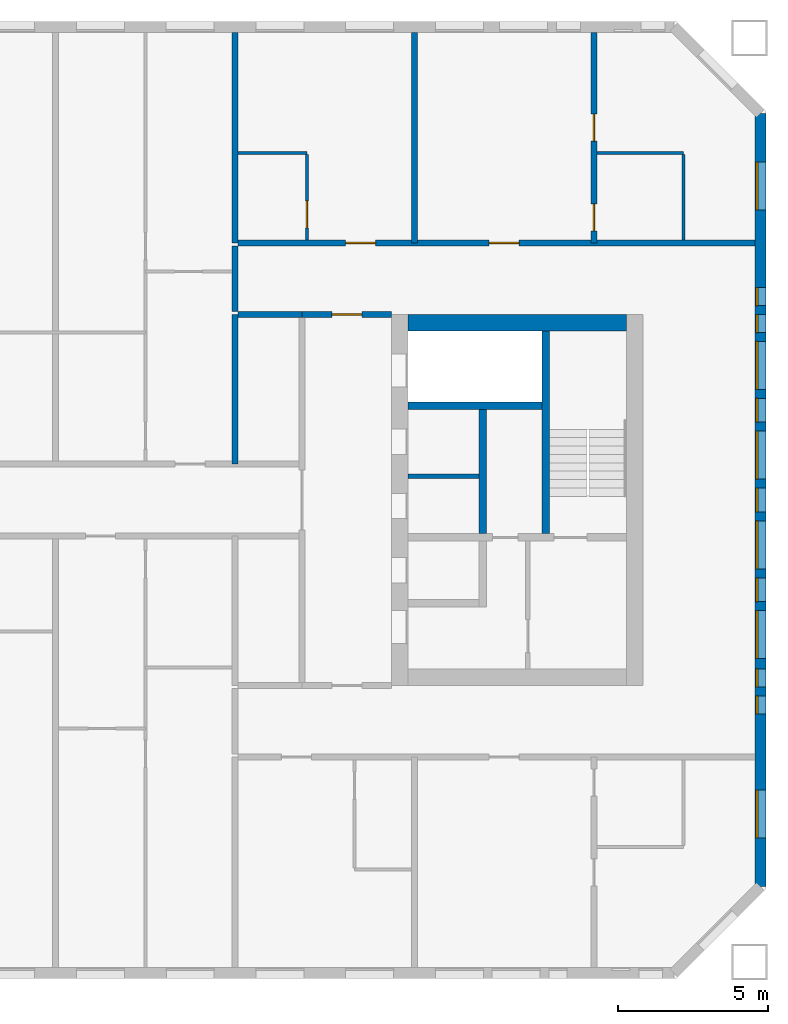
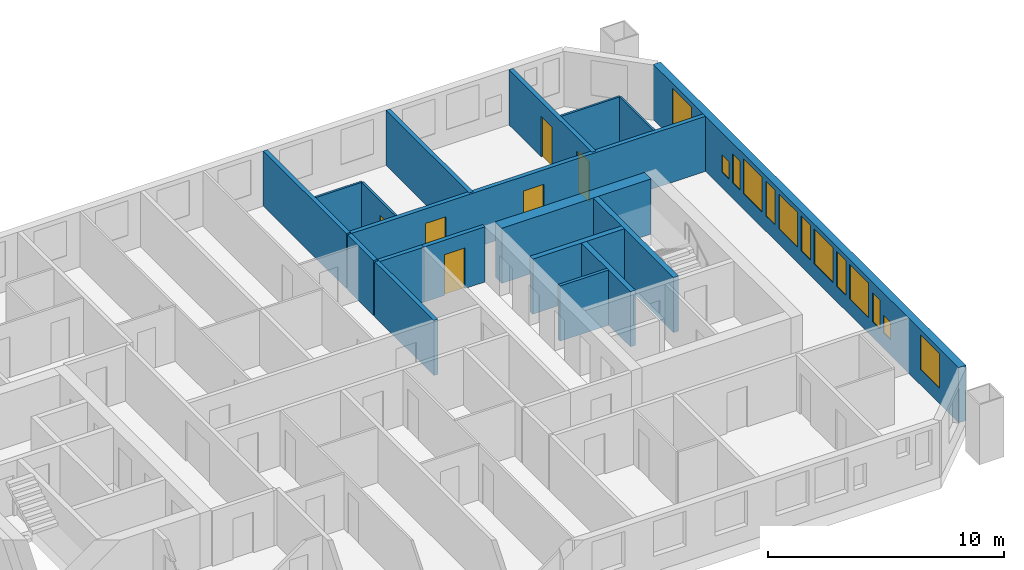
# One storey, part 14 of 17: 18 walls, 13 windows, 6 doors, 19 openings.
"""IFC4 building model written with IfcOpenShell, lengths in metres."""

from ifc_helpers import new_model, si_unit, direction, frame, frame_2d, origin, place, context, subcontext, project, spatial, rectangle, extrude, material, layer, layer_set, type_object, element, fill, save


model = new_model("IFC4")

# Units and contexts
model_context = context("Model", 3, precision=1e-05, world=origin(), true_north=direction((0.0, 1.0)))
body_context = subcontext(model_context, "Body", "Model", "MODEL_VIEW")
ifc_project = project(units=[si_unit("LENGTHUNIT", "METRE"), si_unit("AREAUNIT", "SQUARE_METRE"), si_unit("VOLUMEUNIT", "CUBIC_METRE"), si_unit("PLANEANGLEUNIT", "RADIAN"), si_unit("MASSUNIT", "GRAM", prefix="KILO")], contexts=[model_context])

# Site, building, storey
site_placement = place(None, origin())
site = spatial("IfcSite", under=ifc_project, at=site_placement, CompositionType="ELEMENT")
building_placement = place(site_placement, origin())
building = spatial("IfcBuilding", under=site, at=building_placement, Name="Tuart Gate Housing", CompositionType="ELEMENT")
storey_placement = place(building_placement, frame((0.0, 0.0, 123.699951171875)))
storey = spatial("IfcBuildingStorey", under=building, at=storey_placement, Name="L34", CompositionType="ELEMENT", Elevation=123.699951171875)

# Wall, openings, windows
ifc_material_1 = material(Name="Brick", Category="masonry")
ifc_layer_1 = layer(ifc_material_1, 0.360107421875)
ifc_layer_set_1 = layer_set([ifc_layer_1], Name="Brick pier and spandrel wall 360")
wall_type_1 = type_object("IfcWallType", Name="Brick pier and spandrel wall 360", PredefinedType="STANDARD", material=ifc_layer_set_1)
wall_1_placement = place(storey_placement, frame((172.570068359375, 57.07470703125, 0.0), z_axis=(0.0, 0.0, 1.0), x_axis=(0.0, 1.0, 0.0)))
wall_1 = element("IfcWall", 1, at=wall_1_placement, inside=storey, type_object=wall_type_1, Name="External wall B-E L34", PredefinedType="STANDARD", context=body_context, shape_type="SweptSolid", body=[
    extrude(rectangle(XDim=25.850830078125, YDim=0.360107421875, at=frame_2d((12.92529296875, 0.0))), origin(), (0.0, 0.0, 1.0), 2.85009765625),
])
opening_1_placement = place(wall_1_placement, frame((1.62548828125, 0.0, 0.800048828125)))
opening_1 = element("IfcOpeningElement", 2, at=opening_1_placement, cuts=wall_1, Name="Opening W1", PredefinedType="OPENING", context=body_context, shape_type="SweptSolid", body=[
    extrude(rectangle(XDim=1.60009765625, YDim=1.800048828125, at=frame_2d((0.800048828125, 0.89990234375))), frame((0.0, 0.18994140625, 0.0), z_axis=(0.0, -1.0, 0.0), x_axis=(1.0, 0.0, 0.0)), (0.0, 0.0, 1.0), 0.380126953125),
])
opening_2_placement = place(wall_1_placement, frame((5.775390625, 0.0, 0.800048828125)))
opening_2 = element("IfcOpeningElement", 3, at=opening_2_placement, cuts=wall_1, Name="Opening W1W", PredefinedType="OPENING", context=body_context, shape_type="SweptSolid", body=[
    extrude(rectangle(XDim=0.60009765625, YDim=0.89990234375, at=frame_2d((0.300048828125, 0.449951171875))), frame((0.0, 0.18994140625, 0.0), z_axis=(0.0, -1.0, 0.0), x_axis=(1.0, 0.0, 0.0)), (0.0, 0.0, 1.0), 0.380126953125),
])
opening_3_placement = place(wall_1_placement, frame((7.62548828125, 0.0, 0.800048828125)))
opening_3 = element("IfcOpeningElement", 4, at=opening_3_placement, cuts=wall_1, Name="Opening W1", PredefinedType="OPENING", context=body_context, shape_type="SweptSolid", body=[
    extrude(rectangle(XDim=1.60009765625, YDim=1.800048828125, at=frame_2d((0.800048828125, 0.89990234375))), frame((0.0, 0.18994140625, 0.0), z_axis=(0.0, -1.0, 0.0), x_axis=(1.0, 0.0, 0.0)), (0.0, 0.0, 1.0), 0.380126953125),
])
opening_4_placement = place(wall_1_placement, frame((10.62548828125, 0.0, 0.800048828125)))
opening_4 = element("IfcOpeningElement", 5, at=opening_4_placement, cuts=wall_1, Name="Opening W1", PredefinedType="OPENING", context=body_context, shape_type="SweptSolid", body=[
    extrude(rectangle(XDim=1.60009765625, YDim=1.800048828125, at=frame_2d((0.800048828125, 0.89990234375))), frame((0.0, 0.18994140625, 0.0), z_axis=(0.0, -1.0, 0.0), x_axis=(1.0, 0.0, 0.0)), (0.0, 0.0, 1.0), 0.380126953125),
])
opening_5_placement = place(wall_1_placement, frame((13.62548828125, 0.0, 0.800048828125)))
opening_5 = element("IfcOpeningElement", 6, at=opening_5_placement, cuts=wall_1, Name="Opening W1", PredefinedType="OPENING", context=body_context, shape_type="SweptSolid", body=[
    extrude(rectangle(XDim=1.60009765625, YDim=1.800048828125, at=frame_2d((0.800048828125, 0.89990234375))), frame((0.0, 0.18994140625, 0.0), z_axis=(0.0, -1.0, 0.0), x_axis=(1.0, 0.0, 0.0)), (0.0, 0.0, 1.0), 0.380126953125),
])
opening_6_placement = place(wall_1_placement, frame((16.62548828125, 0.0, 0.800048828125)))
opening_6 = element("IfcOpeningElement", 7, at=opening_6_placement, cuts=wall_1, Name="Opening W1", PredefinedType="OPENING", context=body_context, shape_type="SweptSolid", body=[
    extrude(rectangle(XDim=1.60009765625, YDim=1.800048828125, at=frame_2d((0.800048828125, 0.89990234375))), frame((0.0, 0.18994140625, 0.0), z_axis=(0.0, -1.0, 0.0), x_axis=(1.0, 0.0, 0.0)), (0.0, 0.0, 1.0), 0.380126953125),
])
opening_7_placement = place(wall_1_placement, frame((6.67529296875, 0.0, 0.800048828125)))
opening_7 = element("IfcOpeningElement", 8, at=opening_7_placement, cuts=wall_1, Name="Opening W1K", PredefinedType="OPENING", context=body_context, shape_type="SweptSolid", body=[
    extrude(rectangle(XDim=0.60009765625, YDim=1.5, at=frame_2d((0.300048828125, 0.75))), frame((0.0, 0.18994140625, 0.0), z_axis=(0.0, -1.0, 0.0), x_axis=(1.0, 0.0, 0.0)), (0.0, 0.0, 1.0), 0.380126953125),
])
opening_8_placement = place(wall_1_placement, frame((22.62548828125, 0.0, 0.800048828125)))
opening_8 = element("IfcOpeningElement", 9, at=opening_8_placement, cuts=wall_1, Name="Opening W1", PredefinedType="OPENING", context=body_context, shape_type="SweptSolid", body=[
    extrude(rectangle(XDim=1.60009765625, YDim=1.800048828125, at=frame_2d((0.800048828125, 0.89990234375))), frame((0.0, 0.18994140625, 0.0), z_axis=(0.0, -1.0, 0.0), x_axis=(1.0, 0.0, 0.0)), (0.0, 0.0, 1.0), 0.380126953125),
])
opening_9_placement = place(wall_1_placement, frame((9.525390625, 0.0, 0.800048828125)))
opening_9 = element("IfcOpeningElement", 10, at=opening_9_placement, cuts=wall_1, Name="Opening W1D", PredefinedType="OPENING", context=body_context, shape_type="SweptSolid", body=[
    extrude(rectangle(XDim=0.800048828125, YDim=1.800048828125, at=frame_2d((0.39990234375, 0.89990234375))), frame((0.0, 0.18994140625, 0.0), z_axis=(0.0, -1.0, 0.0), x_axis=(1.0, 0.0, 0.0)), (0.0, 0.0, 1.0), 0.380126953125),
])
opening_10_placement = place(wall_1_placement, frame((12.525390625, 0.0, 0.800048828125)))
opening_10 = element("IfcOpeningElement", 11, at=opening_10_placement, cuts=wall_1, Name="Opening W1D", PredefinedType="OPENING", context=body_context, shape_type="SweptSolid", body=[
    extrude(rectangle(XDim=0.800048828125, YDim=1.800048828125, at=frame_2d((0.39990234375, 0.89990234375))), frame((0.0, 0.18994140625, 0.0), z_axis=(0.0, -1.0, 0.0), x_axis=(1.0, 0.0, 0.0)), (0.0, 0.0, 1.0), 0.380126953125),
])
opening_11_placement = place(wall_1_placement, frame((15.525390625, 0.0, 0.800048828125)))
opening_11 = element("IfcOpeningElement", 12, at=opening_11_placement, cuts=wall_1, Name="Opening W1D", PredefinedType="OPENING", context=body_context, shape_type="SweptSolid", body=[
    extrude(rectangle(XDim=0.800048828125, YDim=1.800048828125, at=frame_2d((0.39990234375, 0.89990234375))), frame((0.0, 0.18994140625, 0.0), z_axis=(0.0, -1.0, 0.0), x_axis=(1.0, 0.0, 0.0)), (0.0, 0.0, 1.0), 0.380126953125),
])
opening_12_placement = place(wall_1_placement, frame((18.525390625, 0.0, 0.800048828125)))
opening_12 = element("IfcOpeningElement", 13, at=opening_12_placement, cuts=wall_1, Name="Opening W1K", PredefinedType="OPENING", context=body_context, shape_type="SweptSolid", body=[
    extrude(rectangle(XDim=0.60009765625, YDim=1.5, at=frame_2d((0.300048828125, 0.75))), frame((0.0, 0.18994140625, 0.0), z_axis=(0.0, -1.0, 0.0), x_axis=(1.0, 0.0, 0.0)), (0.0, 0.0, 1.0), 0.380126953125),
])
opening_13_placement = place(wall_1_placement, frame((19.42529296875, 0.0, 0.800048828125)))
opening_13 = element("IfcOpeningElement", 14, at=opening_13_placement, cuts=wall_1, Name="Opening W1W", PredefinedType="OPENING", context=body_context, shape_type="SweptSolid", body=[
    extrude(rectangle(XDim=0.60009765625, YDim=0.89990234375, at=frame_2d((0.300048828125, 0.449951171875))), frame((0.0, 0.18994140625, 0.0), z_axis=(0.0, -1.0, 0.0), x_axis=(1.0, 0.0, 0.0)), (0.0, 0.0, 1.0), 0.380126953125),
])
ifc_material_2 = material(Name="Aluminium frame with clear glass", Category="aluminium")
window_type_1 = type_object("IfcWindowType", Name="Punched window 1600 x 1800", PartitioningType="SINGLE_PANEL", PredefinedType="WINDOW", material=ifc_material_2)
window_1_placement = place(opening_1_placement, origin())
window_1 = element("IfcWindow", 15, at=window_1_placement, inside=storey, type_object=window_type_1, Name="Window W1", OverallHeight=1.800048828125, OverallWidth=1.60009765625, PartitioningType="SINGLE_PANEL", PredefinedType="WINDOW", context=body_context, shape_type="SweptSolid", body=[
    extrude(rectangle(XDim=1.60009765625, YDim=1.800048828125, at=frame_2d((0.800048828125, 0.89990234375))), frame((0.0, 0.150146484375, 0.0), z_axis=(0.0, -1.0, 0.0), x_axis=(1.0, 0.0, 0.0)), (0.0, 0.0, 1.0), 0.06005859375),
])
fill(opening_1, window_1)
window_2_placement = place(opening_3_placement, origin())
window_2 = element("IfcWindow", 16, at=window_2_placement, inside=storey, type_object=window_type_1, Name="Window W1", OverallHeight=1.800048828125, OverallWidth=1.60009765625, PartitioningType="SINGLE_PANEL", PredefinedType="WINDOW", context=body_context, shape_type="SweptSolid", body=[
    extrude(rectangle(XDim=1.60009765625, YDim=1.800048828125, at=frame_2d((0.800048828125, 0.89990234375))), frame((0.0, 0.150146484375, 0.0), z_axis=(0.0, -1.0, 0.0), x_axis=(1.0, 0.0, 0.0)), (0.0, 0.0, 1.0), 0.06005859375),
])
fill(opening_3, window_2)
window_3_placement = place(opening_4_placement, origin())
window_3 = element("IfcWindow", 17, at=window_3_placement, inside=storey, type_object=window_type_1, Name="Window W1", OverallHeight=1.800048828125, OverallWidth=1.60009765625, PartitioningType="SINGLE_PANEL", PredefinedType="WINDOW", context=body_context, shape_type="SweptSolid", body=[
    extrude(rectangle(XDim=1.60009765625, YDim=1.800048828125, at=frame_2d((0.800048828125, 0.89990234375))), frame((0.0, 0.150146484375, 0.0), z_axis=(0.0, -1.0, 0.0), x_axis=(1.0, 0.0, 0.0)), (0.0, 0.0, 1.0), 0.06005859375),
])
fill(opening_4, window_3)
window_4_placement = place(opening_5_placement, origin())
window_4 = element("IfcWindow", 18, at=window_4_placement, inside=storey, type_object=window_type_1, Name="Window W1", OverallHeight=1.800048828125, OverallWidth=1.60009765625, PartitioningType="SINGLE_PANEL", PredefinedType="WINDOW", context=body_context, shape_type="SweptSolid", body=[
    extrude(rectangle(XDim=1.60009765625, YDim=1.800048828125, at=frame_2d((0.800048828125, 0.89990234375))), frame((0.0, 0.150146484375, 0.0), z_axis=(0.0, -1.0, 0.0), x_axis=(1.0, 0.0, 0.0)), (0.0, 0.0, 1.0), 0.06005859375),
])
fill(opening_5, window_4)
window_5_placement = place(opening_6_placement, origin())
window_5 = element("IfcWindow", 19, at=window_5_placement, inside=storey, type_object=window_type_1, Name="Window W1", OverallHeight=1.800048828125, OverallWidth=1.60009765625, PartitioningType="SINGLE_PANEL", PredefinedType="WINDOW", context=body_context, shape_type="SweptSolid", body=[
    extrude(rectangle(XDim=1.60009765625, YDim=1.800048828125, at=frame_2d((0.800048828125, 0.89990234375))), frame((0.0, 0.150146484375, 0.0), z_axis=(0.0, -1.0, 0.0), x_axis=(1.0, 0.0, 0.0)), (0.0, 0.0, 1.0), 0.06005859375),
])
fill(opening_6, window_5)
window_6_placement = place(opening_8_placement, origin())
window_6 = element("IfcWindow", 20, at=window_6_placement, inside=storey, type_object=window_type_1, Name="Window W1", OverallHeight=1.800048828125, OverallWidth=1.60009765625, PartitioningType="SINGLE_PANEL", PredefinedType="WINDOW", context=body_context, shape_type="SweptSolid", body=[
    extrude(rectangle(XDim=1.60009765625, YDim=1.800048828125, at=frame_2d((0.800048828125, 0.89990234375))), frame((0.0, 0.150146484375, 0.0), z_axis=(0.0, -1.0, 0.0), x_axis=(1.0, 0.0, 0.0)), (0.0, 0.0, 1.0), 0.06005859375),
])
fill(opening_8, window_6)
ifc_material_3 = material(Name="Aluminium frame with clear glass", Category="aluminium")
window_type_2 = type_object("IfcWindowType", Name="Punched window 600 x 1500", PartitioningType="SINGLE_PANEL", PredefinedType="WINDOW", material=ifc_material_3)
window_7_placement = place(opening_7_placement, origin())
window_7 = element("IfcWindow", 21, at=window_7_placement, inside=storey, type_object=window_type_2, Name="Window W1K", OverallHeight=1.5, OverallWidth=0.60009765625, PartitioningType="SINGLE_PANEL", PredefinedType="WINDOW", context=body_context, shape_type="SweptSolid", body=[
    extrude(rectangle(XDim=0.60009765625, YDim=1.5, at=frame_2d((0.300048828125, 0.75))), frame((0.0, 0.150146484375, 0.0), z_axis=(0.0, -1.0, 0.0), x_axis=(1.0, 0.0, 0.0)), (0.0, 0.0, 1.0), 0.06005859375),
])
fill(opening_7, window_7)
window_8_placement = place(opening_12_placement, origin())
window_8 = element("IfcWindow", 22, at=window_8_placement, inside=storey, type_object=window_type_2, Name="Window W1K", OverallHeight=1.5, OverallWidth=0.60009765625, PartitioningType="SINGLE_PANEL", PredefinedType="WINDOW", context=body_context, shape_type="SweptSolid", body=[
    extrude(rectangle(XDim=0.60009765625, YDim=1.5, at=frame_2d((0.300048828125, 0.75))), frame((0.0, 0.150146484375, 0.0), z_axis=(0.0, -1.0, 0.0), x_axis=(1.0, 0.0, 0.0)), (0.0, 0.0, 1.0), 0.06005859375),
])
fill(opening_12, window_8)
ifc_material_4 = material(Name="Aluminium frame with clear glass", Category="aluminium")
window_type_3 = type_object("IfcWindowType", Name="Punched window 600 x 900", PartitioningType="SINGLE_PANEL", PredefinedType="WINDOW", material=ifc_material_4)
window_9_placement = place(opening_2_placement, origin())
window_9 = element("IfcWindow", 23, at=window_9_placement, inside=storey, type_object=window_type_3, Name="Window W1W", OverallHeight=0.89990234375, OverallWidth=0.60009765625, PartitioningType="SINGLE_PANEL", PredefinedType="WINDOW", context=body_context, shape_type="SweptSolid", body=[
    extrude(rectangle(XDim=0.60009765625, YDim=0.89990234375, at=frame_2d((0.300048828125, 0.449951171875))), frame((0.0, 0.150146484375, 0.0), z_axis=(0.0, -1.0, 0.0), x_axis=(1.0, 0.0, 0.0)), (0.0, 0.0, 1.0), 0.06005859375),
])
fill(opening_2, window_9)
window_10_placement = place(opening_13_placement, origin())
window_10 = element("IfcWindow", 24, at=window_10_placement, inside=storey, type_object=window_type_3, Name="Window W1W", OverallHeight=0.89990234375, OverallWidth=0.60009765625, PartitioningType="SINGLE_PANEL", PredefinedType="WINDOW", context=body_context, shape_type="SweptSolid", body=[
    extrude(rectangle(XDim=0.60009765625, YDim=0.89990234375, at=frame_2d((0.300048828125, 0.449951171875))), frame((0.0, 0.150146484375, 0.0), z_axis=(0.0, -1.0, 0.0), x_axis=(1.0, 0.0, 0.0)), (0.0, 0.0, 1.0), 0.06005859375),
])
fill(opening_13, window_10)
ifc_material_5 = material(Name="Aluminium frame with clear glass", Category="aluminium")
window_type_4 = type_object("IfcWindowType", Name="Punched window 800 x 1800", PartitioningType="SINGLE_PANEL", PredefinedType="WINDOW", material=ifc_material_5)
window_11_placement = place(opening_9_placement, origin())
window_11 = element("IfcWindow", 25, at=window_11_placement, inside=storey, type_object=window_type_4, Name="Window W1D", OverallHeight=1.800048828125, OverallWidth=0.800048828125, PartitioningType="SINGLE_PANEL", PredefinedType="WINDOW", context=body_context, shape_type="SweptSolid", body=[
    extrude(rectangle(XDim=0.800048828125, YDim=1.800048828125, at=frame_2d((0.39990234375, 0.89990234375))), frame((0.0, 0.150146484375, 0.0), z_axis=(0.0, -1.0, 0.0), x_axis=(1.0, 0.0, 0.0)), (0.0, 0.0, 1.0), 0.06005859375),
])
fill(opening_9, window_11)
window_12_placement = place(opening_10_placement, origin())
window_12 = element("IfcWindow", 26, at=window_12_placement, inside=storey, type_object=window_type_4, Name="Window W1D", OverallHeight=1.800048828125, OverallWidth=0.800048828125, PartitioningType="SINGLE_PANEL", PredefinedType="WINDOW", context=body_context, shape_type="SweptSolid", body=[
    extrude(rectangle(XDim=0.800048828125, YDim=1.800048828125, at=frame_2d((0.39990234375, 0.89990234375))), frame((0.0, 0.150146484375, 0.0), z_axis=(0.0, -1.0, 0.0), x_axis=(1.0, 0.0, 0.0)), (0.0, 0.0, 1.0), 0.06005859375),
])
fill(opening_10, window_12)
window_13_placement = place(opening_11_placement, origin())
window_13 = element("IfcWindow", 27, at=window_13_placement, inside=storey, type_object=window_type_4, Name="Window W1D", OverallHeight=1.800048828125, OverallWidth=0.800048828125, PartitioningType="SINGLE_PANEL", PredefinedType="WINDOW", context=body_context, shape_type="SweptSolid", body=[
    extrude(rectangle(XDim=0.800048828125, YDim=1.800048828125, at=frame_2d((0.39990234375, 0.89990234375))), frame((0.0, 0.150146484375, 0.0), z_axis=(0.0, -1.0, 0.0), x_axis=(1.0, 0.0, 0.0)), (0.0, 0.0, 1.0), 0.06005859375),
])
fill(opening_11, window_13)

# Walls
ifc_material_6 = material(Name="Plasterboard partition")
ifc_layer_2 = layer(ifc_material_6, 0.14990234375)
ifc_layer_set_2 = layer_set([ifc_layer_2], Name="Core partition 150")
wall_type_2 = type_object("IfcWallType", Name="Core partition 150", PredefinedType="PARTITIONING", material=ifc_layer_set_2)
wall_2_placement = place(storey_placement, frame((160.7900390625, 70.800048828125, 0.0), z_axis=(0.0, 0.0, 1.0), x_axis=(1.0, 0.0, 0.0)))
element("IfcWall", 28, at=wall_2_placement, inside=storey, type_object=wall_type_2, Name="Core partition BK.2", PredefinedType="PARTITIONING", context=body_context, shape_type="SweptSolid", body=[
    extrude(rectangle(XDim=2.375, YDim=0.14990234375, at=frame_2d((1.1875, 0.0))), origin(), (0.0, 0.0, 1.0), 2.85009765625),
])
ifc_material_7 = material(Name="Concrete C50", Category="concrete")
ifc_layer_3 = layer(ifc_material_7, 0.25)
ifc_layer_set_3 = layer_set([ifc_layer_3], Name="Core wall 250 C50")
wall_type_3 = type_object("IfcWallType", Name="Core wall 250 C50", PredefinedType="SHEAR", material=ifc_layer_set_3)
wall_3_placement = place(storey_placement, frame((160.7900390625, 73.14990234375, 0.0), z_axis=(0.0, 0.0, 1.0), x_axis=(1.0, 0.0, 0.0)))
element("IfcWall", 29, at=wall_3_placement, inside=storey, type_object=wall_type_3, Name="Core wall BK.1", PredefinedType="SHEAR", context=body_context, shape_type="SweptSolid", body=[
    extrude(rectangle(XDim=4.474853515625, YDim=0.25, at=frame_2d((2.2373046875, 0.0))), origin(), (0.0, 0.0, 1.0), 2.85009765625),
])
wall_4_placement = place(storey_placement, frame((163.2900390625, 73.02490234375, 0.0), z_axis=(0.0, 0.0, 1.0), x_axis=(0.0, -1.0, 0.0)))
element("IfcWall", 30, at=wall_4_placement, inside=storey, type_object=wall_type_3, Name="Core wall BK.5", PredefinedType="SHEAR", context=body_context, shape_type="SweptSolid", body=[
    extrude(rectangle(XDim=4.14990234375, YDim=0.25, at=frame_2d((2.074951171875, 0.0))), origin(), (0.0, 0.0, 1.0), 2.85009765625),
])
wall_5_placement = place(storey_placement, frame((165.389892578125, 75.64990234375, 0.0), z_axis=(0.0, 0.0, 1.0), x_axis=(0.0, -1.0, 0.0)))
element("IfcWall", 31, at=wall_5_placement, inside=storey, type_object=wall_type_3, Name="Core wall BK.8", PredefinedType="SHEAR", context=body_context, shape_type="SweptSolid", body=[
    extrude(rectangle(XDim=6.77490234375, YDim=0.25, at=frame_2d((3.387451171875, 0.0))), origin(), (0.0, 0.0, 1.0), 2.85009765625),
])
ifc_material_8 = material(Name="Concrete C50", Category="concrete")
ifc_layer_4 = layer(ifc_material_8, 0.550048828125)
ifc_layer_set_4 = layer_set([ifc_layer_4], Name="Core wall 550 C50")
wall_type_4 = type_object("IfcWallType", Name="Core wall 550 C50", PredefinedType="SHEAR", material=ifc_layer_set_4)
wall_6_placement = place(storey_placement, frame((160.7900390625, 75.925048828125, 0.0), z_axis=(0.0, 0.0, 1.0), x_axis=(1.0, 0.0, 0.0)))
element("IfcWall", 32, at=wall_6_placement, inside=storey, type_object=wall_type_4, Name="Core wall BK south", PredefinedType="SHEAR", context=body_context, shape_type="SweptSolid", body=[
    extrude(rectangle(XDim=7.300048828125, YDim=0.550048828125, at=frame_2d((3.64990234375, 0.0))), origin(), (0.0, 0.0, 1.0), 2.85009765625),
])
ifc_material_9 = material(Name="Concrete masonry 15 MPa", Category="masonry")
ifc_layer_5 = layer(ifc_material_9, 0.199951171875)
ifc_layer_set_5 = layer_set([ifc_layer_5], Name="Corridor wall masonry 200")
wall_type_5 = type_object("IfcWallType", Name="Corridor wall masonry 200", PredefinedType="PARTITIONING", material=ifc_layer_set_5)
wall_7_placement = place(storey_placement, frame((155.10009765625, 76.199951171875, 0.0), z_axis=(0.0, 0.0, 1.0), x_axis=(1.0, 0.0, 0.0)))
element("IfcWall", 33, at=wall_7_placement, inside=storey, type_object=wall_type_5, Name="Corridor wall masonry 200", PredefinedType="PARTITIONING", context=body_context, shape_type="SweptSolid", body=[
    extrude(rectangle(XDim=2.139892578125, YDim=0.199951171875, at=frame_2d((1.06982421875, 0.0))), origin(), (0.0, 0.0, 1.0), 2.85009765625),
])

# Wall, openings, doors
wall_8_placement = place(storey_placement, frame((155.10009765625, 78.60009765625, 0.0), z_axis=(0.0, 0.0, 1.0), x_axis=(1.0, 0.0, 0.0)))
wall_8 = element("IfcWall", 34, at=wall_8_placement, inside=storey, type_object=wall_type_5, Name="Corridor wall masonry 200", PredefinedType="PARTITIONING", context=body_context, shape_type="SweptSolid", body=[
    extrude(rectangle(XDim=17.289794921875, YDim=0.199951171875, at=frame_2d((8.64501953125, 0.0))), origin(), (0.0, 0.0, 1.0), 2.85009765625),
])
opening_14_placement = place(wall_8_placement, frame((3.60009765625, 0.0, 0.0)))
opening_14 = element("IfcOpeningElement", 35, at=opening_14_placement, cuts=wall_8, Name="Opening D1358", PredefinedType="OPENING", context=body_context, shape_type="SweptSolid", body=[
    extrude(rectangle(XDim=1.0, YDim=2.10009765625, at=frame_2d((0.5, 1.050048828125))), frame((0.0, 0.10986328125, 0.0), z_axis=(0.0, -1.0, 0.0), x_axis=(1.0, 0.0, 0.0)), (0.0, 0.0, 1.0), 0.219970703125),
])
opening_15_placement = place(wall_8_placement, frame((8.39990234375, 0.0, 0.0)))
opening_15 = element("IfcOpeningElement", 36, at=opening_15_placement, cuts=wall_8, Name="Opening D1359", PredefinedType="OPENING", context=body_context, shape_type="SweptSolid", body=[
    extrude(rectangle(XDim=1.0, YDim=2.10009765625, at=frame_2d((0.5, 1.050048828125))), frame((0.0, 0.10986328125, 0.0), z_axis=(0.0, -1.0, 0.0), x_axis=(1.0, 0.0, 0.0)), (0.0, 0.0, 1.0), 0.219970703125),
])
ifc_material_10 = material(Name="Timber door leaf in steel frame", Category="steel")
door_type_1 = type_object("IfcDoorType", Name="Flat entrance door 1000", OperationType="SINGLE_SWING_LEFT", PredefinedType="DOOR", material=ifc_material_10)
door_1_placement = place(opening_14_placement, origin())
door_1 = element("IfcDoor", 37, at=door_1_placement, inside=storey, type_object=door_type_1, Name="Flat entrance door", OperationType="SINGLE_SWING_LEFT", OverallHeight=2.10009765625, OverallWidth=1.0, PredefinedType="DOOR", context=body_context, shape_type="SweptSolid", body=[
    extrude(rectangle(XDim=1.0, YDim=2.10009765625, at=frame_2d((0.5, 1.050048828125))), frame((0.0, 0.02490234375, 0.0), z_axis=(0.0, -1.0, 0.0), x_axis=(1.0, 0.0, 0.0)), (0.0, 0.0, 1.0), 0.050048828125),
])
fill(opening_14, door_1)
door_2_placement = place(opening_15_placement, origin())
door_2 = element("IfcDoor", 38, at=door_2_placement, inside=storey, type_object=door_type_1, Name="Flat entrance door", OperationType="SINGLE_SWING_LEFT", OverallHeight=2.10009765625, OverallWidth=1.0, PredefinedType="DOOR", context=body_context, shape_type="SweptSolid", body=[
    extrude(rectangle(XDim=1.0, YDim=2.10009765625, at=frame_2d((0.5, 1.050048828125))), frame((0.0, 0.02490234375, 0.0), z_axis=(0.0, -1.0, 0.0), x_axis=(1.0, 0.0, 0.0)), (0.0, 0.0, 1.0), 0.050048828125),
])
fill(opening_15, door_2)

# Wall
wall_9_placement = place(storey_placement, frame((155.0, 76.300048828125, 0.0), z_axis=(0.0, 0.0, 1.0), x_axis=(0.0, 1.0, 0.0)))
element("IfcWall", 39, at=wall_9_placement, inside=storey, type_object=wall_type_5, Name="Corridor wall masonry 200", PredefinedType="PARTITIONING", context=body_context, shape_type="SweptSolid", body=[
    extrude(rectangle(XDim=2.199951171875, YDim=0.199951171875, at=frame_2d((1.10009765625, 0.0))), origin(), (0.0, 0.0, 1.0), 2.85009765625),
])

# Wall, opening, door
ifc_material_11 = material(Name="Concrete masonry 15 MPa", Category="masonry")
ifc_layer_6 = layer(ifc_material_11, 0.199951171875)
ifc_layer_set_6 = layer_set([ifc_layer_6], Name="Enclosure wall masonry 200")
wall_type_6 = type_object("IfcWallType", Name="Enclosure wall masonry 200", PredefinedType="PARTITIONING", material=ifc_layer_set_6)
wall_10_placement = place(storey_placement, frame((157.239990234375, 76.199951171875, 0.0), z_axis=(0.0, 0.0, 1.0), x_axis=(1.0, 0.0, 0.0)))
wall_10 = element("IfcWall", 40, at=wall_10_placement, inside=storey, type_object=wall_type_6, Name="Enclosure wall masonry 200", PredefinedType="PARTITIONING", context=body_context, shape_type="SweptSolid", body=[
    extrude(rectangle(XDim=3.0, YDim=0.199951171875, at=frame_2d((1.5, 0.0))), origin(), (0.0, 0.0, 1.0), 2.85009765625),
])
opening_16_placement = place(wall_10_placement, frame((1.0, 0.0, 0.0)))
opening_16 = element("IfcOpeningElement", 41, at=opening_16_placement, cuts=wall_10, Name="Opening D1367", PredefinedType="OPENING", context=body_context, shape_type="SweptSolid", body=[
    extrude(rectangle(XDim=1.0, YDim=2.10009765625, at=frame_2d((0.5, 1.050048828125))), frame((0.0, 0.10986328125, 0.0), z_axis=(0.0, -1.0, 0.0), x_axis=(1.0, 0.0, 0.0)), (0.0, 0.0, 1.0), 0.219970703125),
])
ifc_material_12 = material(Name="Timber door leaf in steel frame", Category="steel")
door_type_2 = type_object("IfcDoorType", Name="Fire door 1000", OperationType="SINGLE_SWING_LEFT", PredefinedType="DOOR", material=ifc_material_12)
door_3_placement = place(opening_16_placement, origin())
door_3 = element("IfcDoor", 42, at=door_3_placement, inside=storey, type_object=door_type_2, Name="Fire door", OperationType="SINGLE_SWING_LEFT", OverallHeight=2.10009765625, OverallWidth=1.0, PredefinedType="DOOR", context=body_context, shape_type="SweptSolid", body=[
    extrude(rectangle(XDim=1.0, YDim=2.10009765625, at=frame_2d((0.5, 1.050048828125))), frame((0.0, 0.02490234375, 0.0), z_axis=(0.0, -1.0, 0.0), x_axis=(1.0, 0.0, 0.0)), (0.0, 0.0, 1.0), 0.050048828125),
])
fill(opening_16, door_3)

# Walls
ifc_material_13 = material(Name="Gypsum board on steel studs", Category="steel")
ifc_layer_7 = layer(ifc_material_13, 0.10009765625)
ifc_layer_set_7 = layer_set([ifc_layer_7], Name="Partition 100")
wall_type_7 = type_object("IfcWallType", Name="Partition 100", PredefinedType="PARTITIONING", material=ifc_layer_set_7)
wall_11_placement = place(storey_placement, frame((155.10009765625, 81.60009765625, 0.0), z_axis=(0.0, 0.0, 1.0), x_axis=(1.0, 0.0, 0.0)))
element("IfcWall", 43, at=wall_11_placement, inside=storey, type_object=wall_type_7, Name="Partition 100", PredefinedType="PARTITIONING", context=body_context, shape_type="SweptSolid", body=[
    extrude(rectangle(XDim=2.2998046875, YDim=0.10009765625, at=frame_2d((1.14990234375, 0.0))), origin(), (0.0, 0.0, 1.0), 2.85009765625),
])
wall_12_placement = place(storey_placement, frame((167.10009765625, 81.60009765625, 0.0), z_axis=(0.0, 0.0, 1.0), x_axis=(1.0, 0.0, 0.0)))
element("IfcWall", 44, at=wall_12_placement, inside=storey, type_object=wall_type_7, Name="Partition 100", PredefinedType="PARTITIONING", context=body_context, shape_type="SweptSolid", body=[
    extrude(rectangle(XDim=2.89990234375, YDim=0.10009765625, at=frame_2d((1.449951171875, 0.0))), origin(), (0.0, 0.0, 1.0), 2.85009765625),
])

# Wall, opening, door
wall_13_placement = place(storey_placement, frame((157.39990234375, 78.699951171875, 0.0), z_axis=(0.0, 0.0, 1.0), x_axis=(0.0, 1.0, 0.0)))
wall_13 = element("IfcWall", 45, at=wall_13_placement, inside=storey, type_object=wall_type_7, Name="Partition 100", PredefinedType="PARTITIONING", context=body_context, shape_type="SweptSolid", body=[
    extrude(rectangle(XDim=2.85009765625, YDim=0.10009765625, at=frame_2d((1.425048828125, 0.0))), origin(), (0.0, 0.0, 1.0), 2.85009765625),
])
opening_17_placement = place(wall_13_placement, frame((0.39990234375, 0.0, 0.0)))
opening_17 = element("IfcOpeningElement", 46, at=opening_17_placement, cuts=wall_13, Name="Opening D1355", PredefinedType="OPENING", context=body_context, shape_type="SweptSolid", body=[
    extrude(rectangle(XDim=0.89990234375, YDim=2.10009765625, at=frame_2d((0.449951171875, 1.050048828125))), frame((0.0, 0.06005859375, 0.0), z_axis=(0.0, -1.0, 0.0), x_axis=(1.0, 0.0, 0.0)), (0.0, 0.0, 1.0), 0.1201171875),
])
ifc_material_14 = material(Name="Timber door leaf in steel frame", Category="steel")
door_type_3 = type_object("IfcDoorType", Name="Bathroom door 900", OperationType="SINGLE_SWING_LEFT", PredefinedType="DOOR", material=ifc_material_14)
door_4_placement = place(opening_17_placement, origin())
door_4 = element("IfcDoor", 47, at=door_4_placement, inside=storey, type_object=door_type_3, Name="Bathroom door", OperationType="SINGLE_SWING_LEFT", OverallHeight=2.10009765625, OverallWidth=0.89990234375, PredefinedType="DOOR", context=body_context, shape_type="SweptSolid", body=[
    extrude(rectangle(XDim=0.89990234375, YDim=2.10009765625, at=frame_2d((0.449951171875, 1.050048828125))), frame((0.0, 0.02490234375, 0.0), z_axis=(0.0, -1.0, 0.0), x_axis=(1.0, 0.0, 0.0)), (0.0, 0.0, 1.0), 0.050048828125),
])
fill(opening_17, door_4)

# Walls
wall_14_placement = place(storey_placement, frame((170.0, 78.699951171875, 0.0), z_axis=(0.0, 0.0, 1.0), x_axis=(0.0, 1.0, 0.0)))
element("IfcWall", 48, at=wall_14_placement, inside=storey, type_object=wall_type_7, Name="Partition 100", PredefinedType="PARTITIONING", context=body_context, shape_type="SweptSolid", body=[
    extrude(rectangle(XDim=2.85009765625, YDim=0.10009765625, at=frame_2d((1.425048828125, 0.0))), origin(), (0.0, 0.0, 1.0), 2.85009765625),
])
ifc_material_15 = material(Name="Concrete C40", Category="concrete")
ifc_layer_8 = layer(ifc_material_15, 0.199951171875)
ifc_layer_set_8 = layer_set([ifc_layer_8], Name="Party wall concrete C40 200")
wall_type_8 = type_object("IfcWallType", Name="Party wall concrete C40 200", PredefinedType="SOLIDWALL", material=ifc_layer_set_8)
wall_15_placement = place(storey_placement, frame((155.0, 71.199951171875, 0.0), z_axis=(0.0, 0.0, 1.0), x_axis=(0.0, 1.0, 0.0)))
element("IfcWall", 49, at=wall_15_placement, inside=storey, type_object=wall_type_8, Name="Party wall concrete C40 200", PredefinedType="SOLIDWALL", context=body_context, shape_type="SweptSolid", body=[
    extrude(rectangle(XDim=5.0, YDim=0.199951171875, at=frame_2d((2.5, 0.0))), origin(), (0.0, 0.0, 1.0), 2.85009765625),
])
for number, where, z_axis, x_axis, name in (
    (50, (155.0, 78.60009765625, 0.0), (0.0, 0.0, 1.0), (0.0, 1.0, 0.0), "Party wall concrete C40 200"),
    (51, (161.0, 78.60009765625, 0.0), (0.0, 0.0, 1.0), (0.0, 1.0, 0.0), "Party wall concrete C40 200"),
):
    element("IfcWall", number, at=place(storey_placement, frame(where, z_axis=z_axis, x_axis=x_axis)), inside=storey, type_object=wall_type_8, Name=name, PredefinedType="SOLIDWALL", context=body_context, shape_type="SweptSolid", body=[
        extrude(rectangle(XDim=7.039794921875, YDim=0.199951171875, at=frame_2d((3.52001953125, 0.0))), origin(), (0.0, 0.0, 1.0), 2.85009765625),
    ])

# Wall, openings, doors
wall_16_placement = place(storey_placement, frame((167.0, 78.60009765625, 0.0), z_axis=(0.0, 0.0, 1.0), x_axis=(0.0, 1.0, 0.0)))
wall_16 = element("IfcWall", 52, at=wall_16_placement, inside=storey, type_object=wall_type_8, Name="Party wall concrete C40 200", PredefinedType="SOLIDWALL", context=body_context, shape_type="SweptSolid", body=[
    extrude(rectangle(XDim=7.039794921875, YDim=0.199951171875, at=frame_2d((3.52001953125, 0.0))), origin(), (0.0, 0.0, 1.0), 2.85009765625),
])
opening_18_placement = place(wall_16_placement, frame((3.39990234375, 0.0, 0.0)))
opening_18 = element("IfcOpeningElement", 53, at=opening_18_placement, cuts=wall_16, Name="Opening D1352", PredefinedType="OPENING", context=body_context, shape_type="SweptSolid", body=[
    extrude(rectangle(XDim=0.89990234375, YDim=2.10009765625, at=frame_2d((0.449951171875, 1.050048828125))), frame((0.0, 0.10986328125, 0.0), z_axis=(0.0, -1.0, 0.0), x_axis=(1.0, 0.0, 0.0)), (0.0, 0.0, 1.0), 0.219970703125),
])
opening_19_placement = place(wall_16_placement, frame((0.39990234375, 0.0, 0.0)))
opening_19 = element("IfcOpeningElement", 54, at=opening_19_placement, cuts=wall_16, Name="Opening D1351", PredefinedType="OPENING", context=body_context, shape_type="SweptSolid", body=[
    extrude(rectangle(XDim=0.89990234375, YDim=2.10009765625, at=frame_2d((0.449951171875, 1.050048828125))), frame((0.0, 0.10986328125, 0.0), z_axis=(0.0, -1.0, 0.0), x_axis=(1.0, 0.0, 0.0)), (0.0, 0.0, 1.0), 0.219970703125),
])
ifc_material_16 = material(Name="Timber door leaf in steel frame", Category="steel")
door_type_4 = type_object("IfcDoorType", Name="Bathroom door 900 RH", OperationType="SINGLE_SWING_RIGHT", PredefinedType="DOOR", material=ifc_material_16)
door_5_placement = place(opening_19_placement, frame((0.89990234375, 0.0, 0.0), z_axis=(0.0, 0.0, 1.0), x_axis=(-1.0, 0.0, 0.0)))
door_5 = element("IfcDoor", 55, at=door_5_placement, inside=storey, type_object=door_type_4, Name="Bathroom door", OperationType="SINGLE_SWING_RIGHT", OverallHeight=2.10009765625, OverallWidth=0.89990234375, PredefinedType="DOOR", context=body_context, shape_type="SweptSolid", body=[
    extrude(rectangle(XDim=0.89990234375, YDim=2.10009765625, at=frame_2d((0.449951171875, 1.050048828125))), frame((0.0, 0.025146484375, 0.0), z_axis=(0.0, -1.0, 0.0), x_axis=(1.0, 0.0, 0.0)), (0.0, 0.0, 1.0), 0.050048828125),
])
fill(opening_19, door_5)
ifc_material_17 = material(Name="Timber door leaf in steel frame", Category="steel")
door_type_5 = type_object("IfcDoorType", Name="Internal door 900 RH", OperationType="SINGLE_SWING_RIGHT", PredefinedType="DOOR", material=ifc_material_17)
door_6_placement = place(opening_18_placement, frame((0.89990234375, 0.0, 0.0), z_axis=(0.0, 0.0, 1.0), x_axis=(-1.0, 0.0, 0.0)))
door_6 = element("IfcDoor", 56, at=door_6_placement, inside=storey, type_object=door_type_5, Name="Internal door", OperationType="SINGLE_SWING_RIGHT", OverallHeight=2.10009765625, OverallWidth=0.89990234375, PredefinedType="DOOR", context=body_context, shape_type="SweptSolid", body=[
    extrude(rectangle(XDim=0.89990234375, YDim=2.10009765625, at=frame_2d((0.449951171875, 1.050048828125))), frame((0.0, 0.025146484375, 0.0), z_axis=(0.0, -1.0, 0.0), x_axis=(1.0, 0.0, 0.0)), (0.0, 0.0, 1.0), 0.050048828125),
])
fill(opening_18, door_6)

save(model, "model.ifc")
